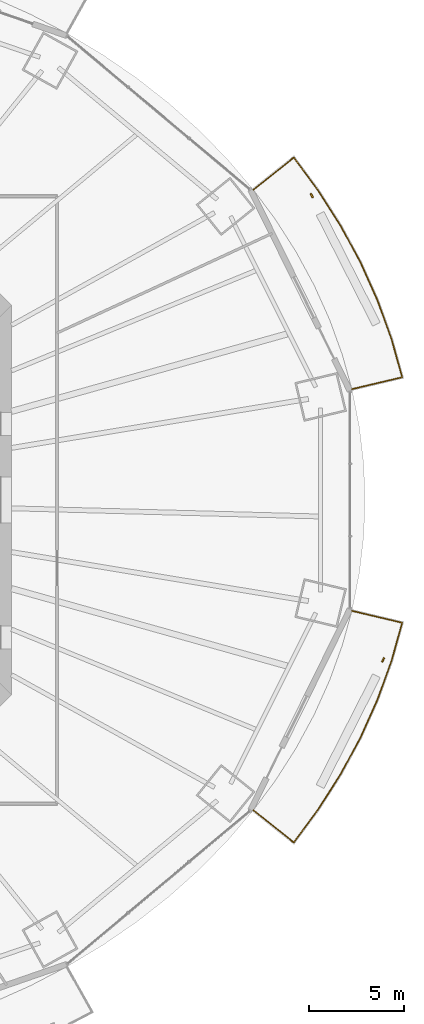
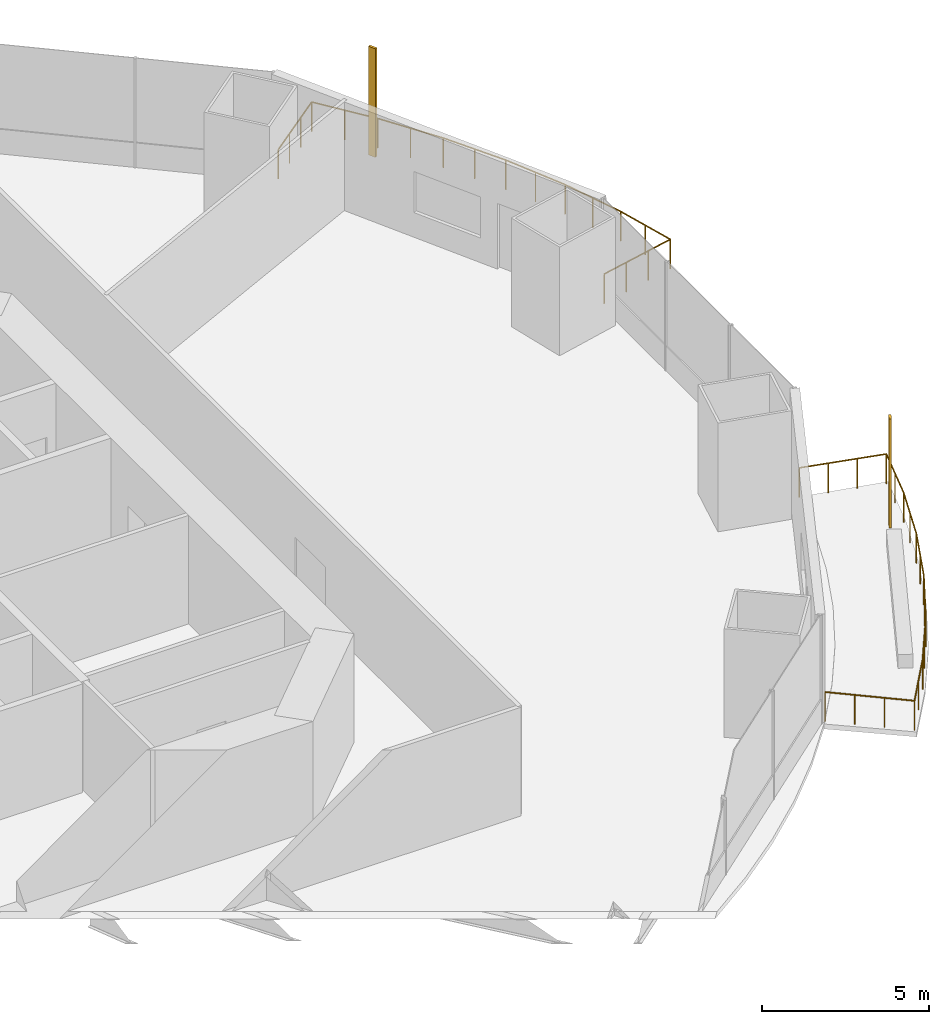
# One storey, part 21 of 22: 2 railings, 2 shading devices.
"""IFC4 building model written with IfcOpenShell, lengths in metres."""

from ifc_helpers import new_model, si_unit, direction, frame, origin, origin_2d, place, context, subcontext, project, spatial, rectangle, circle, extrude, material, material_profile, profile_set, type_object, element, save


model = new_model("IFC4")

# Units and contexts
model_context = context("Model", 3, precision=1e-05, world=origin(), true_north=direction((0.0, 1.0)))
body_context = subcontext(model_context, "Body", "Model", "MODEL_VIEW")
ifc_project = project(units=[si_unit("LENGTHUNIT", "METRE"), si_unit("AREAUNIT", "SQUARE_METRE"), si_unit("VOLUMEUNIT", "CUBIC_METRE"), si_unit("PLANEANGLEUNIT", "RADIAN"), si_unit("MASSUNIT", "GRAM", prefix="KILO")], contexts=[model_context])

# Site, building, storey
site_placement = place(None, origin())
site = spatial("IfcSite", under=ifc_project, at=site_placement, CompositionType="ELEMENT")
building_placement = place(site_placement, origin())
building = spatial("IfcBuilding", under=site, at=building_placement, Name="Marenthal Gate Tower", CompositionType="ELEMENT")
storey_placement = place(building_placement, frame((0.0, 0.0, 86.949951171875)))
storey = spatial("IfcBuildingStorey", under=building, at=storey_placement, Name="L17", CompositionType="ELEMENT", Elevation=86.949951171875)

# Railings
ifc_material_1 = material(Name="Stainless steel", Category="steel")
railing_type = type_object("IfcRailingType", Name="Balcony guard 1100", PredefinedType="GUARDRAIL", material=ifc_material_1)
railing_1_placement = place(storey_placement, frame((29.34326171875, 16.347900390625, 0.0)))
element("IfcRailing", 1, at=railing_1_placement, inside=storey, type_object=railing_type, Name="Balcony guard L17 bay 1", PredefinedType="GUARDRAIL", context=body_context, shape_type="SweptSolid", body=[
    extrude(circle(Radius=0.02392578125, at=origin_2d()), frame((0.0, 0.0, 1.076171875), z_axis=(0.782218085053, 0.62283082954, -0.014718192514), x_axis=(-0.622898300926, 0.782302822892, 0.0)), (0.0, 0.0, 1.0), 2.720458984375),
    extrude(circle(Radius=0.02392578125, at=origin_2d()), frame((2.1279296875, 1.6943359375, 1.0361328125), z_axis=(0.594617358606, -0.804008828835, 0.0), x_axis=(0.804008828835, 0.594617358606, 0.0)), (0.0, 0.0, 1.0), 2.153564453125),
    extrude(circle(Radius=0.02392578125, at=origin_2d()), frame((3.408447265625, -0.037109375, 1.0361328125), z_axis=(0.537495639062, -0.843266528442, 0.0), x_axis=(0.843266528442, 0.537495639062, 0.0)), (0.0, 0.0, 1.0), 2.215576171875),
    extrude(circle(Radius=0.02392578125, at=origin_2d()), frame((4.599365234375, -1.905517578125, 1.0361328125), z_axis=(0.475449699906, -0.879742907251, 0.0), x_axis=(0.879742907251, 0.475449699906, 0.0)), (0.0, 0.0, 1.0), 2.19921875),
    extrude(circle(Radius=0.02392578125, at=origin_2d()), frame((5.64501953125, -3.84033203125, 1.0361328125), z_axis=(0.409495490191, -0.912312141492, 0.0), x_axis=(0.912312141492, 0.409495490191, 0.0)), (0.0, 0.0, 1.0), 2.1845703125),
    extrude(circle(Radius=0.02392578125, at=origin_2d()), frame((6.53955078125, -5.833251953125, 1.0361328125), z_axis=(0.340172038454, -0.940363219322, 0.0), x_axis=(0.940363219322, 0.340172038454, 0.0)), (0.0, 0.0, 1.0), 2.171630859375),
    extrude(circle(Radius=0.02392578125, at=origin_2d()), frame((7.2783203125, -7.87548828125, 1.0361328125), z_axis=(0.269294922849, -0.963057757628, 0.0), x_axis=(0.963057757628, 0.269294922849, 0.0)), (0.0, 0.0, 1.0), 2.08154296875),
    extrude(circle(Radius=0.02392578125, at=origin_2d()), frame((7.8388671875, -9.880126953125, 1.0361328125), z_axis=(-0.972921871805, -0.230665056323, 0.014719482193), x_axis=(0.230690048693, -0.973027287096, 0.0)), (0.0, 0.0, 1.0), 2.72021484375),
    extrude(circle(Radius=0.02099609375, at=origin_2d()), origin(), (0.0, 0.0, 1.0), 1.052001953125),
    extrude(circle(Radius=0.02099609375, at=origin_2d()), frame((0.709228515625, 0.564697265625, -0.013427734375)), (0.0, 0.0, 1.0), 1.052001953125),
    extrude(circle(Radius=0.02099609375, at=origin_2d()), frame((1.418701171875, 1.129638671875, -0.026611328125)), (0.0, 0.0, 1.0), 1.052001953125),
    extrude(circle(Radius=0.02099609375, at=origin_2d()), frame((2.1279296875, 1.6943359375, -0.0400390625)), (0.0, 0.0, 1.0), 1.052001953125),
    extrude(circle(Radius=0.02099609375, at=origin_2d()), frame((2.76806640625, 0.82861328125, -0.0400390625)), (0.0, 0.0, 1.0), 1.052001953125),
    extrude(circle(Radius=0.02099609375, at=origin_2d()), frame((3.408447265625, -0.037109375, -0.0400390625)), (0.0, 0.0, 1.0), 1.052001953125),
    extrude(circle(Radius=0.02099609375, at=origin_2d()), frame((4.00390625, -0.97119140625, -0.0400390625)), (0.0, 0.0, 1.0), 1.052001953125),
    extrude(circle(Radius=0.02099609375, at=origin_2d()), frame((4.599365234375, -1.905517578125, -0.0400390625)), (0.0, 0.0, 1.0), 1.052001953125),
    extrude(circle(Radius=0.02099609375, at=origin_2d()), frame((5.1220703125, -2.873046875, -0.0400390625)), (0.0, 0.0, 1.0), 1.052001953125),
    extrude(circle(Radius=0.02099609375, at=origin_2d()), frame((5.64501953125, -3.84033203125, -0.0400390625)), (0.0, 0.0, 1.0), 1.052001953125),
    extrude(circle(Radius=0.02099609375, at=origin_2d()), frame((6.09228515625, -4.8369140625, -0.0400390625)), (0.0, 0.0, 1.0), 1.052001953125),
    extrude(circle(Radius=0.02099609375, at=origin_2d()), frame((6.53955078125, -5.833251953125, -0.0400390625)), (0.0, 0.0, 1.0), 1.052001953125),
    extrude(circle(Radius=0.02099609375, at=origin_2d()), frame((6.908935546875, -6.8544921875, -0.0400390625)), (0.0, 0.0, 1.0), 1.052001953125),
    extrude(circle(Radius=0.02099609375, at=origin_2d()), frame((7.2783203125, -7.87548828125, -0.0400390625)), (0.0, 0.0, 1.0), 1.052001953125),
    extrude(circle(Radius=0.02099609375, at=origin_2d()), frame((7.55859375, -8.8779296875, -0.0400390625)), (0.0, 0.0, 1.0), 1.052001953125),
    extrude(circle(Radius=0.02099609375, at=origin_2d()), frame((7.8388671875, -9.880126953125, -0.0400390625)), (0.0, 0.0, 1.0), 1.052001953125),
    extrude(circle(Radius=0.02099609375, at=origin_2d()), frame((6.956787109375, -10.08935546875, -0.026611328125)), (0.0, 0.0, 1.0), 1.052001953125),
    extrude(circle(Radius=0.02099609375, at=origin_2d()), frame((6.074462890625, -10.29833984375, -0.013427734375)), (0.0, 0.0, 1.0), 1.052001953125),
    extrude(circle(Radius=0.02099609375, at=origin_2d()), frame((5.1923828125, -10.507568359375, 0.0)), (0.0, 0.0, 1.0), 1.052001953125),
])
railing_2_placement = place(storey_placement, frame((34.53564453125, -5.84033203125, 0.0)))
element("IfcRailing", 2, at=railing_2_placement, inside=storey, type_object=railing_type, Name="Balcony guard L17 bay 15", PredefinedType="GUARDRAIL", context=body_context, shape_type="SweptSolid", body=[
    extrude(circle(Radius=0.02392578125, at=origin_2d()), frame((0.0, 0.0, 1.076171875), z_axis=(0.972921871805, -0.230665056323, -0.014719482193), x_axis=(0.230690048693, 0.973027287096, 0.0)), (0.0, 0.0, 1.0), 2.72021484375),
    extrude(circle(Radius=0.02392578125, at=origin_2d()), frame((2.646484375, -0.62744140625, 1.0361328125), z_axis=(-0.269294922849, -0.963057757628, 0.0), x_axis=(0.963057757628, -0.269294922849, 0.0)), (0.0, 0.0, 1.0), 2.08154296875),
    extrude(circle(Radius=0.02392578125, at=origin_2d()), frame((2.0859375, -2.632080078125, 1.0361328125), z_axis=(-0.340172038454, -0.940363219322, 0.0), x_axis=(0.940363219322, -0.340172038454, 0.0)), (0.0, 0.0, 1.0), 2.171630859375),
    extrude(circle(Radius=0.02392578125, at=origin_2d()), frame((1.34716796875, -4.67431640625, 1.0361328125), z_axis=(-0.409495490191, -0.912312141492, 0.0), x_axis=(0.912312141492, -0.409495490191, 0.0)), (0.0, 0.0, 1.0), 2.1845703125),
    extrude(circle(Radius=0.02392578125, at=origin_2d()), frame((0.45263671875, -6.667236328125, 1.0361328125), z_axis=(-0.475449699906, -0.879742907251, 0.0), x_axis=(0.879742907251, -0.475449699906, 0.0)), (0.0, 0.0, 1.0), 2.19921875),
    extrude(circle(Radius=0.02392578125, at=origin_2d()), frame((-0.593017578125, -8.60205078125, 1.0361328125), z_axis=(-0.537495639062, -0.843266528442, 0.0), x_axis=(0.843266528442, -0.537495639062, 0.0)), (0.0, 0.0, 1.0), 2.215576171875),
    extrude(circle(Radius=0.02392578125, at=origin_2d()), frame((-1.783935546875, -10.470458984375, 1.0361328125), z_axis=(-0.594617358606, -0.804008828835, 0.0), x_axis=(0.804008828835, -0.594617358606, 0.0)), (0.0, 0.0, 1.0), 2.153564453125),
    extrude(circle(Radius=0.02392578125, at=origin_2d()), frame((-3.064453125, -12.201904296875, 1.0361328125), z_axis=(-0.782218085053, 0.62283082954, 0.014718192514), x_axis=(-0.622898300926, -0.782302822892, 0.0)), (0.0, 0.0, 1.0), 2.720458984375),
    extrude(circle(Radius=0.02099609375, at=origin_2d()), origin(), (0.0, 0.0, 1.0), 1.052001953125),
    extrude(circle(Radius=0.02099609375, at=origin_2d()), frame((0.882080078125, -0.209228515625, -0.013427734375)), (0.0, 0.0, 1.0), 1.052001953125),
    extrude(circle(Radius=0.02099609375, at=origin_2d()), frame((1.764404296875, -0.418212890625, -0.026611328125)), (0.0, 0.0, 1.0), 1.052001953125),
    extrude(circle(Radius=0.02099609375, at=origin_2d()), frame((2.646484375, -0.62744140625, -0.0400390625)), (0.0, 0.0, 1.0), 1.052001953125),
    extrude(circle(Radius=0.02099609375, at=origin_2d()), frame((2.3662109375, -1.6298828125, -0.0400390625)), (0.0, 0.0, 1.0), 1.052001953125),
    extrude(circle(Radius=0.02099609375, at=origin_2d()), frame((2.0859375, -2.632080078125, -0.0400390625)), (0.0, 0.0, 1.0), 1.052001953125),
    extrude(circle(Radius=0.02099609375, at=origin_2d()), frame((1.716552734375, -3.6533203125, -0.0400390625)), (0.0, 0.0, 1.0), 1.052001953125),
    extrude(circle(Radius=0.02099609375, at=origin_2d()), frame((1.34716796875, -4.67431640625, -0.0400390625)), (0.0, 0.0, 1.0), 1.052001953125),
    extrude(circle(Radius=0.02099609375, at=origin_2d()), frame((0.89990234375, -5.6708984375, -0.0400390625)), (0.0, 0.0, 1.0), 1.052001953125),
    extrude(circle(Radius=0.02099609375, at=origin_2d()), frame((0.45263671875, -6.667236328125, -0.0400390625)), (0.0, 0.0, 1.0), 1.052001953125),
    extrude(circle(Radius=0.02099609375, at=origin_2d()), frame((-0.0703125, -7.634765625, -0.0400390625)), (0.0, 0.0, 1.0), 1.052001953125),
    extrude(circle(Radius=0.02099609375, at=origin_2d()), frame((-0.593017578125, -8.60205078125, -0.0400390625)), (0.0, 0.0, 1.0), 1.052001953125),
    extrude(circle(Radius=0.02099609375, at=origin_2d()), frame((-1.1884765625, -9.5361328125, -0.0400390625)), (0.0, 0.0, 1.0), 1.052001953125),
    extrude(circle(Radius=0.02099609375, at=origin_2d()), frame((-1.783935546875, -10.470458984375, -0.0400390625)), (0.0, 0.0, 1.0), 1.052001953125),
    extrude(circle(Radius=0.02099609375, at=origin_2d()), frame((-2.42431640625, -11.336181640625, -0.0400390625)), (0.0, 0.0, 1.0), 1.052001953125),
    extrude(circle(Radius=0.02099609375, at=origin_2d()), frame((-3.064453125, -12.201904296875, -0.0400390625)), (0.0, 0.0, 1.0), 1.052001953125),
    extrude(circle(Radius=0.02099609375, at=origin_2d()), frame((-3.773681640625, -11.63720703125, -0.026611328125)), (0.0, 0.0, 1.0), 1.052001953125),
    extrude(circle(Radius=0.02099609375, at=origin_2d()), frame((-4.483154296875, -11.072265625, -0.013427734375)), (0.0, 0.0, 1.0), 1.052001953125),
    extrude(circle(Radius=0.02099609375, at=origin_2d()), frame((-5.1923828125, -10.507568359375, 0.0)), (0.0, 0.0, 1.0), 1.052001953125),
])

# Shading devices
ifc_material_2 = material(Name="Terracotta", Category="masonry")
ifc_material_profile = material_profile(ifc_material_2, rectangle(XDim=0.25, YDim=0.080078125, at=origin_2d()), Name="Terracotta baguette 250x80")
ifc_profile_set = profile_set([ifc_material_profile], Name="Terracotta")
shading_device_type = type_object("IfcShadingDeviceType", Name="Terracotta BAGUETTE SCREEN 250x80", PredefinedType="USERDEFINED", material=ifc_profile_set)
for number, where, z_axis, x_axis, name in (
    (3, (32.4189453125, 16.041015625, -0.0400390625), (0.0, 0.0, 1.0), (-0.442860405886, 0.896590575959, 0.0), "Terracotta BAGUETTE L17 bay 1R"),
    (4, (36.182373046875, -8.421630859375, -0.0400390625), (0.0, 0.0, 1.0), (0.442860405886, 0.896590575959, 0.0), "Terracotta BAGUETTE L17 bay 15R"),
):
    element("IfcShadingDevice", number, at=place(storey_placement, frame(where, z_axis=z_axis, x_axis=x_axis)), inside=storey, type_object=shading_device_type, Name=name, ObjectType="BAGUETTE SCREEN", PredefinedType="USERDEFINED", context=body_context, shape_type="SweptSolid", body=[
        extrude(rectangle(XDim=0.25, YDim=0.080078125, at=origin_2d()), origin(), (0.0, 0.0, 1.0), 3.969970703125),
    ])

save(model, "model.ifc")
